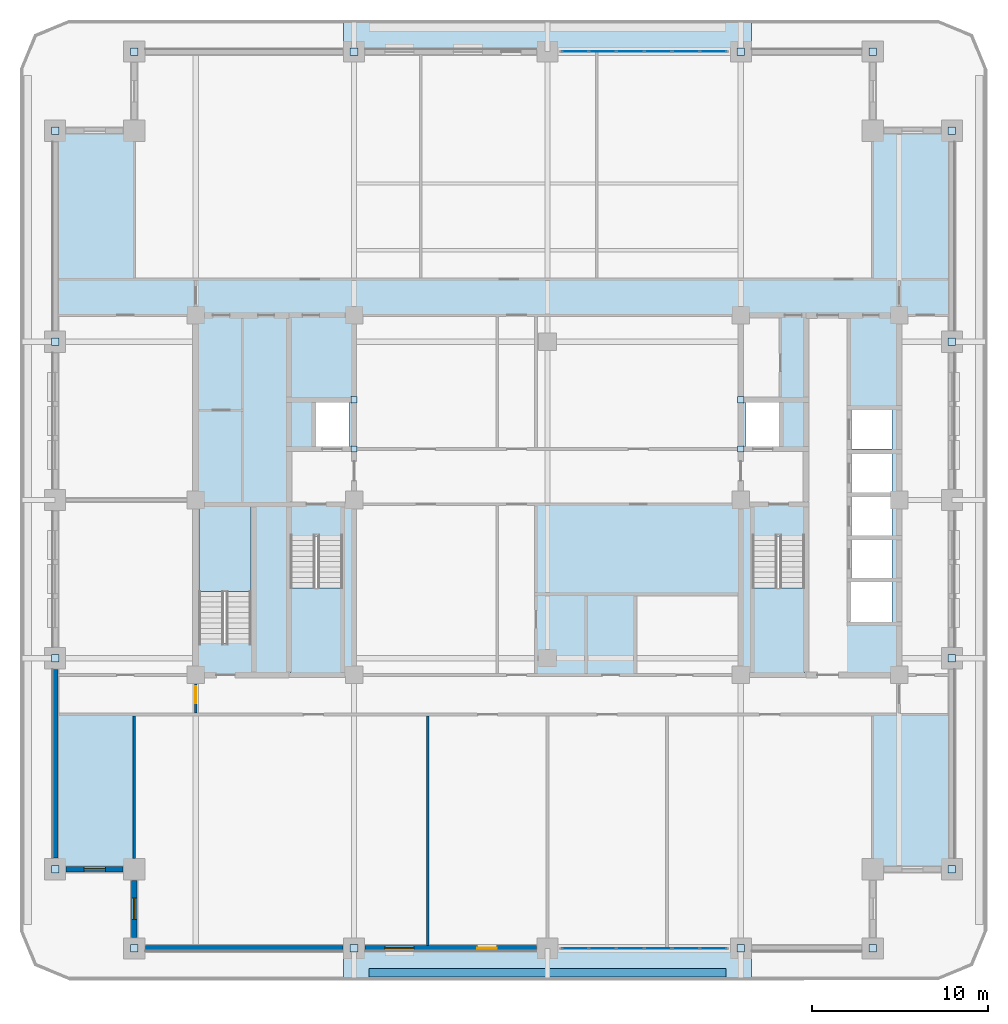
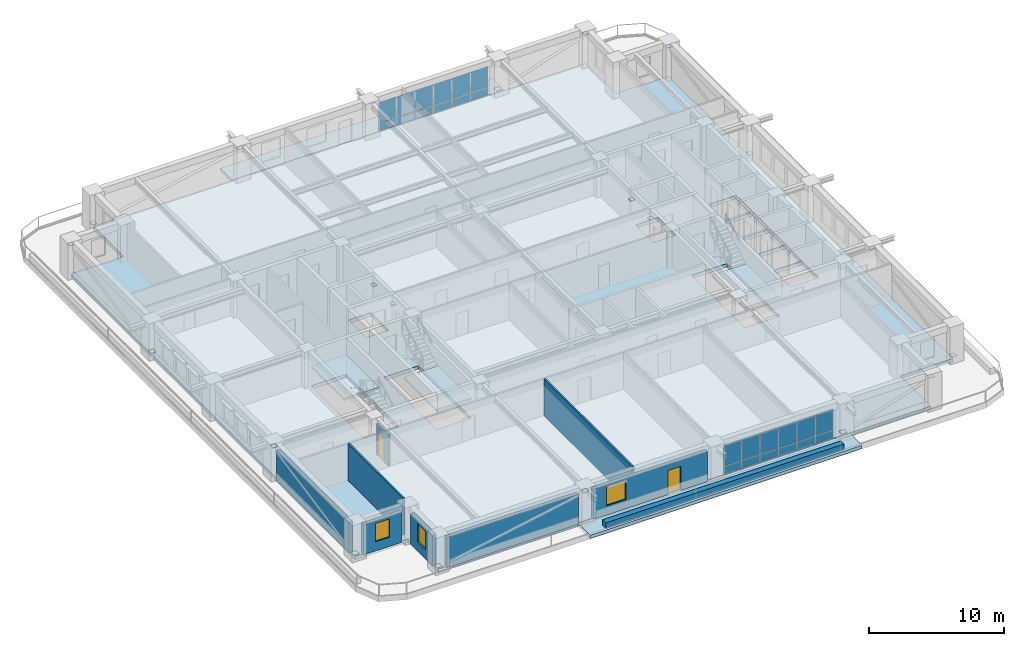
# One storey, part 7 of 20: 44 plates, 9 walls, 6 slabs, 3 windows, 2 doors, 5 openings, 5 elements without a shape of their own.
"""IFC4 building model written with IfcOpenShell, lengths in metres."""

from ifc_helpers import new_model, si_unit, direction, frame, frame_2d, origin, origin_2d, place, context, subcontext, project, spatial, polyline, rectangle, outline, extrude, material, layer, layer_set, type_object, element, fill, aggregate, save


model = new_model("IFC4")

# Units and contexts
model_context = context("Model", 3, precision=1e-05, world=origin(), true_north=direction((0.0, 1.0)))
body_context = subcontext(model_context, "Body", "Model", "MODEL_VIEW")
ifc_project = project(units=[si_unit("LENGTHUNIT", "METRE"), si_unit("AREAUNIT", "SQUARE_METRE"), si_unit("VOLUMEUNIT", "CUBIC_METRE"), si_unit("PLANEANGLEUNIT", "RADIAN"), si_unit("MASSUNIT", "GRAM", prefix="KILO")], contexts=[model_context])

# Site, building, storey
site_placement = place(None, origin())
site = spatial("IfcSite", under=ifc_project, at=site_placement, CompositionType="ELEMENT")
building_placement = place(site_placement, origin())
building = spatial("IfcBuilding", under=site, at=building_placement, Name="Zulmaris Gate Convention Tower", CompositionType="ELEMENT")
storey_placement = place(building_placement, frame((0.0, 0.0, 142.769775390625)))
storey = spatial("IfcBuildingStorey", under=building, at=storey_placement, Name="L36", CompositionType="ELEMENT", Elevation=142.769775390625)

# Curtain wall, plates
ifc_material_1 = material(Name="Anodised Aluminium", Category="aluminium")
curtain_wall_type = type_object("IfcCurtainWallType", Name="CW-06", PredefinedType="NOTDEFINED", material=ifc_material_1)
curtain_wall_1_placement = place(storey_placement, origin())
curtain_wall_1 = element("IfcCurtainWall", 1, at=curtain_wall_1_placement, inside=storey, type_object=curtain_wall_type, Name="CW-06 CW06-L36-S-2_0", PredefinedType="NOTDEFINED")
ifc_material_2 = material(Name="Low-E Double Glazing", Category="glass")
ifc_layer_1 = layer(ifc_material_2, 0.028076171875, Name="Low-E Double Glazing")
ifc_layer_set_1 = layer_set([ifc_layer_1], Name="Low-E Double Glazing")
plate_type_1 = type_object("IfcPlateType", Name="CW-06-VISION", PredefinedType="CURTAIN_PANEL", material=ifc_layer_set_1)
plate_1_placement = place(storey_placement, frame((1.56884765625, -25.5, 0.0751953125), z_axis=(0.0, 0.0, 1.0), x_axis=(1.0, 0.0, 0.0)))
plate_1 = element("IfcPlate", 2, at=plate_1_placement, type_object=plate_type_1, Name="CW-06 panel 1.1", PredefinedType="CURTAIN_PANEL", context=body_context, shape_type="SweptSolid", body=[
    extrude(rectangle(XDim=1.467529296875, YDim=0.028076171875, at=origin_2d()), origin(), (0.0, 0.0, 1.0), 0.637451171875),
])
plate_2_placement = place(storey_placement, frame((1.56884765625, -25.5, 0.787353515625), z_axis=(0.0, 0.0, 1.0), x_axis=(1.0, 0.0, 0.0)))
plate_2 = element("IfcPlate", 3, at=plate_2_placement, type_object=plate_type_1, Name="CW-06 panel 1.2", PredefinedType="CURTAIN_PANEL", context=body_context, shape_type="SweptSolid", body=[
    extrude(rectangle(XDim=1.467529296875, YDim=0.028076171875, at=origin_2d()), origin(), (0.0, 0.0, 1.0), 1.849609375),
])
plate_3_placement = place(storey_placement, frame((3.1298828125, -25.5, 0.0751953125), z_axis=(0.0, 0.0, 1.0), x_axis=(1.0, 0.0, 0.0)))
plate_3 = element("IfcPlate", 4, at=plate_3_placement, type_object=plate_type_1, Name="CW-06 panel 2.1", PredefinedType="CURTAIN_PANEL", context=body_context, shape_type="SweptSolid", body=[
    extrude(rectangle(XDim=1.5048828125, YDim=0.028076171875, at=origin_2d()), origin(), (0.0, 0.0, 1.0), 0.637451171875),
])
plate_4_placement = place(storey_placement, frame((3.1298828125, -25.5, 0.787353515625), z_axis=(0.0, 0.0, 1.0), x_axis=(1.0, 0.0, 0.0)))
plate_4 = element("IfcPlate", 5, at=plate_4_placement, type_object=plate_type_1, Name="CW-06 panel 2.2", PredefinedType="CURTAIN_PANEL", context=body_context, shape_type="SweptSolid", body=[
    extrude(rectangle(XDim=1.5048828125, YDim=0.028076171875, at=origin_2d()), origin(), (0.0, 0.0, 1.0), 1.849609375),
])
plate_5_placement = place(storey_placement, frame((4.7099609375, -25.5, 0.0751953125), z_axis=(0.0, 0.0, 1.0), x_axis=(1.0, 0.0, 0.0)))
plate_5 = element("IfcPlate", 6, at=plate_5_placement, type_object=plate_type_1, Name="CW-06 panel 3.1", PredefinedType="CURTAIN_PANEL", context=body_context, shape_type="SweptSolid", body=[
    extrude(rectangle(XDim=1.5048828125, YDim=0.028076171875, at=origin_2d()), origin(), (0.0, 0.0, 1.0), 0.637451171875),
])
plate_6_placement = place(storey_placement, frame((4.7099609375, -25.5, 0.787353515625), z_axis=(0.0, 0.0, 1.0), x_axis=(1.0, 0.0, 0.0)))
plate_6 = element("IfcPlate", 7, at=plate_6_placement, type_object=plate_type_1, Name="CW-06 panel 3.2", PredefinedType="CURTAIN_PANEL", context=body_context, shape_type="SweptSolid", body=[
    extrude(rectangle(XDim=1.5048828125, YDim=0.028076171875, at=origin_2d()), origin(), (0.0, 0.0, 1.0), 1.849609375),
])
plate_7_placement = place(storey_placement, frame((6.2900390625, -25.5, 0.0751953125), z_axis=(0.0, 0.0, 1.0), x_axis=(1.0, 0.0, 0.0)))
plate_7 = element("IfcPlate", 8, at=plate_7_placement, type_object=plate_type_1, Name="CW-06 panel 4.1", PredefinedType="CURTAIN_PANEL", context=body_context, shape_type="SweptSolid", body=[
    extrude(rectangle(XDim=1.5048828125, YDim=0.028076171875, at=origin_2d()), origin(), (0.0, 0.0, 1.0), 0.637451171875),
])
plate_8_placement = place(storey_placement, frame((6.2900390625, -25.5, 0.787353515625), z_axis=(0.0, 0.0, 1.0), x_axis=(1.0, 0.0, 0.0)))
plate_8 = element("IfcPlate", 9, at=plate_8_placement, type_object=plate_type_1, Name="CW-06 panel 4.2", PredefinedType="CURTAIN_PANEL", context=body_context, shape_type="SweptSolid", body=[
    extrude(rectangle(XDim=1.5048828125, YDim=0.028076171875, at=origin_2d()), origin(), (0.0, 0.0, 1.0), 1.849609375),
])
plate_9_placement = place(storey_placement, frame((7.8701171875, -25.5, 0.0751953125), z_axis=(0.0, 0.0, 1.0), x_axis=(1.0, 0.0, 0.0)))
plate_9 = element("IfcPlate", 10, at=plate_9_placement, type_object=plate_type_1, Name="CW-06 panel 5.1", PredefinedType="CURTAIN_PANEL", context=body_context, shape_type="SweptSolid", body=[
    extrude(rectangle(XDim=1.5048828125, YDim=0.028076171875, at=origin_2d()), origin(), (0.0, 0.0, 1.0), 0.637451171875),
])
plate_10_placement = place(storey_placement, frame((7.8701171875, -25.5, 0.787353515625), z_axis=(0.0, 0.0, 1.0), x_axis=(1.0, 0.0, 0.0)))
plate_10 = element("IfcPlate", 11, at=plate_10_placement, type_object=plate_type_1, Name="CW-06 panel 5.2", PredefinedType="CURTAIN_PANEL", context=body_context, shape_type="SweptSolid", body=[
    extrude(rectangle(XDim=1.5048828125, YDim=0.028076171875, at=origin_2d()), origin(), (0.0, 0.0, 1.0), 1.849609375),
])
plate_11_placement = place(storey_placement, frame((9.43115234375, -25.5, 0.0751953125), z_axis=(0.0, 0.0, 1.0), x_axis=(1.0, 0.0, 0.0)))
plate_11 = element("IfcPlate", 12, at=plate_11_placement, type_object=plate_type_1, Name="CW-06 panel 6.1", PredefinedType="CURTAIN_PANEL", context=body_context, shape_type="SweptSolid", body=[
    extrude(rectangle(XDim=1.467529296875, YDim=0.028076171875, at=origin_2d()), origin(), (0.0, 0.0, 1.0), 0.637451171875),
])
plate_12_placement = place(storey_placement, frame((9.43115234375, -25.5, 0.787353515625), z_axis=(0.0, 0.0, 1.0), x_axis=(1.0, 0.0, 0.0)))
plate_12 = element("IfcPlate", 13, at=plate_12_placement, type_object=plate_type_1, Name="CW-06 panel 6.2", PredefinedType="CURTAIN_PANEL", context=body_context, shape_type="SweptSolid", body=[
    extrude(rectangle(XDim=1.467529296875, YDim=0.028076171875, at=origin_2d()), origin(), (0.0, 0.0, 1.0), 1.849609375),
])
aggregate(curtain_wall_1, [plate_1, plate_2, plate_3, plate_4, plate_5, plate_6, plate_7, plate_8, plate_9, plate_10, plate_11, plate_12])

curtain_wall_2_placement = place(storey_placement, origin())
curtain_wall_2 = element("IfcCurtainWall", 14, at=curtain_wall_2_placement, inside=storey, type_object=curtain_wall_type, Name="CW-06 CW06-L36-N-2_0", PredefinedType="NOTDEFINED")
plate_13_placement = place(storey_placement, frame((9.43115234375, 25.5, 0.0751953125), z_axis=(0.0, 0.0, 1.0), x_axis=(-1.0, 0.0, 0.0)))
plate_13 = element("IfcPlate", 15, at=plate_13_placement, type_object=plate_type_1, Name="CW-06 panel 1.1", PredefinedType="CURTAIN_PANEL", context=body_context, shape_type="SweptSolid", body=[
    extrude(rectangle(XDim=1.467529296875, YDim=0.028076171875, at=origin_2d()), origin(), (0.0, 0.0, 1.0), 0.637451171875),
])
plate_14_placement = place(storey_placement, frame((9.43115234375, 25.5, 0.787353515625), z_axis=(0.0, 0.0, 1.0), x_axis=(-1.0, 0.0, 0.0)))
plate_14 = element("IfcPlate", 16, at=plate_14_placement, type_object=plate_type_1, Name="CW-06 panel 1.2", PredefinedType="CURTAIN_PANEL", context=body_context, shape_type="SweptSolid", body=[
    extrude(rectangle(XDim=1.467529296875, YDim=0.028076171875, at=origin_2d()), origin(), (0.0, 0.0, 1.0), 1.849609375),
])
plate_15_placement = place(storey_placement, frame((7.8701171875, 25.5, 0.0751953125), z_axis=(0.0, 0.0, 1.0), x_axis=(-1.0, 0.0, 0.0)))
plate_15 = element("IfcPlate", 17, at=plate_15_placement, type_object=plate_type_1, Name="CW-06 panel 2.1", PredefinedType="CURTAIN_PANEL", context=body_context, shape_type="SweptSolid", body=[
    extrude(rectangle(XDim=1.5048828125, YDim=0.028076171875, at=origin_2d()), origin(), (0.0, 0.0, 1.0), 0.637451171875),
])
plate_16_placement = place(storey_placement, frame((7.8701171875, 25.5, 0.787353515625), z_axis=(0.0, 0.0, 1.0), x_axis=(-1.0, 0.0, 0.0)))
plate_16 = element("IfcPlate", 18, at=plate_16_placement, type_object=plate_type_1, Name="CW-06 panel 2.2", PredefinedType="CURTAIN_PANEL", context=body_context, shape_type="SweptSolid", body=[
    extrude(rectangle(XDim=1.5048828125, YDim=0.028076171875, at=origin_2d()), origin(), (0.0, 0.0, 1.0), 1.849609375),
])
plate_17_placement = place(storey_placement, frame((6.2900390625, 25.5, 0.0751953125), z_axis=(0.0, 0.0, 1.0), x_axis=(-1.0, 0.0, 0.0)))
plate_17 = element("IfcPlate", 19, at=plate_17_placement, type_object=plate_type_1, Name="CW-06 panel 3.1", PredefinedType="CURTAIN_PANEL", context=body_context, shape_type="SweptSolid", body=[
    extrude(rectangle(XDim=1.5048828125, YDim=0.028076171875, at=origin_2d()), origin(), (0.0, 0.0, 1.0), 0.637451171875),
])
plate_18_placement = place(storey_placement, frame((6.2900390625, 25.5, 0.787353515625), z_axis=(0.0, 0.0, 1.0), x_axis=(-1.0, 0.0, 0.0)))
plate_18 = element("IfcPlate", 20, at=plate_18_placement, type_object=plate_type_1, Name="CW-06 panel 3.2", PredefinedType="CURTAIN_PANEL", context=body_context, shape_type="SweptSolid", body=[
    extrude(rectangle(XDim=1.5048828125, YDim=0.028076171875, at=origin_2d()), origin(), (0.0, 0.0, 1.0), 1.849609375),
])
plate_19_placement = place(storey_placement, frame((4.7099609375, 25.5, 0.0751953125), z_axis=(0.0, 0.0, 1.0), x_axis=(-1.0, 0.0, 0.0)))
plate_19 = element("IfcPlate", 21, at=plate_19_placement, type_object=plate_type_1, Name="CW-06 panel 4.1", PredefinedType="CURTAIN_PANEL", context=body_context, shape_type="SweptSolid", body=[
    extrude(rectangle(XDim=1.5048828125, YDim=0.028076171875, at=origin_2d()), origin(), (0.0, 0.0, 1.0), 0.637451171875),
])
plate_20_placement = place(storey_placement, frame((4.7099609375, 25.5, 0.787353515625), z_axis=(0.0, 0.0, 1.0), x_axis=(-1.0, 0.0, 0.0)))
plate_20 = element("IfcPlate", 22, at=plate_20_placement, type_object=plate_type_1, Name="CW-06 panel 4.2", PredefinedType="CURTAIN_PANEL", context=body_context, shape_type="SweptSolid", body=[
    extrude(rectangle(XDim=1.5048828125, YDim=0.028076171875, at=origin_2d()), origin(), (0.0, 0.0, 1.0), 1.849609375),
])
plate_21_placement = place(storey_placement, frame((3.1298828125, 25.5, 0.0751953125), z_axis=(0.0, 0.0, 1.0), x_axis=(-1.0, 0.0, 0.0)))
plate_21 = element("IfcPlate", 23, at=plate_21_placement, type_object=plate_type_1, Name="CW-06 panel 5.1", PredefinedType="CURTAIN_PANEL", context=body_context, shape_type="SweptSolid", body=[
    extrude(rectangle(XDim=1.5048828125, YDim=0.028076171875, at=origin_2d()), origin(), (0.0, 0.0, 1.0), 0.637451171875),
])
plate_22_placement = place(storey_placement, frame((3.1298828125, 25.5, 0.787353515625), z_axis=(0.0, 0.0, 1.0), x_axis=(-1.0, 0.0, 0.0)))
plate_22 = element("IfcPlate", 24, at=plate_22_placement, type_object=plate_type_1, Name="CW-06 panel 5.2", PredefinedType="CURTAIN_PANEL", context=body_context, shape_type="SweptSolid", body=[
    extrude(rectangle(XDim=1.5048828125, YDim=0.028076171875, at=origin_2d()), origin(), (0.0, 0.0, 1.0), 1.849609375),
])
plate_23_placement = place(storey_placement, frame((1.56884765625, 25.5, 0.0751953125), z_axis=(0.0, 0.0, 1.0), x_axis=(-1.0, 0.0, 0.0)))
plate_23 = element("IfcPlate", 25, at=plate_23_placement, type_object=plate_type_1, Name="CW-06 panel 6.1", PredefinedType="CURTAIN_PANEL", context=body_context, shape_type="SweptSolid", body=[
    extrude(rectangle(XDim=1.467529296875, YDim=0.028076171875, at=origin_2d()), origin(), (0.0, 0.0, 1.0), 0.637451171875),
])
plate_24_placement = place(storey_placement, frame((1.56884765625, 25.5, 0.787353515625), z_axis=(0.0, 0.0, 1.0), x_axis=(-1.0, 0.0, 0.0)))
plate_24 = element("IfcPlate", 26, at=plate_24_placement, type_object=plate_type_1, Name="CW-06 panel 6.2", PredefinedType="CURTAIN_PANEL", context=body_context, shape_type="SweptSolid", body=[
    extrude(rectangle(XDim=1.467529296875, YDim=0.028076171875, at=origin_2d()), origin(), (0.0, 0.0, 1.0), 1.849609375),
])
aggregate(curtain_wall_2, [plate_13, plate_14, plate_15, plate_16, plate_17, plate_18, plate_19, plate_20, plate_21, plate_22, plate_23, plate_24])

# Plates
ifc_material_3 = material(Name="Steel S460", Category="steel")
ifc_layer_2 = layer(ifc_material_3, 0.02197265625, Name="Steel S460")
ifc_layer_set_2 = layer_set([ifc_layer_2], Name="Steel S460")
plate_type_2 = type_object("IfcPlateType", Name="NP-CAP-360", PredefinedType="USERDEFINED", material=ifc_layer_set_2)
for number, where, z_axis, x_axis, name in (
    (27, (-11.0, 2.89990234375, 2.339111328125), (0.0, 0.0, 1.0), (1.0, 0.0, 0.0), "L36 Steel Node Plate LN-L36-1-CAP0"),
    (28, (-11.0, 5.699951171875, 2.339111328125), (0.0, 0.0, 1.0), (1.0, 0.0, 0.0), "L36 Steel Node Plate LN-L36-1-CAP1"),
    (29, (11.0, 2.89990234375, 2.339111328125), (0.0, 0.0, 1.0), (1.0, 0.0, 0.0), "L36 Steel Node Plate LN-L36-2-CAP0"),
    (30, (11.0, 5.699951171875, 2.339111328125), (0.0, 0.0, 1.0), (1.0, 0.0, 0.0), "L36 Steel Node Plate LN-L36-2-CAP1"),
):
    element("IfcPlate", number, at=place(storey_placement, frame(where, z_axis=z_axis, x_axis=x_axis)), inside=storey, type_object=plate_type_2, Name=name, ObjectType="FLANGE PLATE", PredefinedType="USERDEFINED", context=body_context, shape_type="SweptSolid", body=[
        extrude(rectangle(XDim=0.360107421875, YDim=0.360107421875, at=origin_2d()), origin(), (0.0, 0.0, 1.0), 0.02197265625),
    ])
ifc_layer_3 = layer(ifc_material_3, 0.02490234375, Name="Steel S460")
ifc_layer_set_3 = layer_set([ifc_layer_3], Name="Steel S460")
plate_type_3 = type_object("IfcPlateType", Name="NP-CAP-440", PredefinedType="USERDEFINED", material=ifc_layer_set_3)
for number, where, z_axis, x_axis, name in (
    (31, (-28.0, -21.0, 0.28759765625), (0.0, 0.0, 1.0), (1.0, 0.0, 0.0), "L36 Steel Node Plate PBR-L36-SW-W-CAP"),
    (32, (-28.0, -9.0, 2.6875), (0.0, 0.0, 1.0), (1.0, 0.0, 0.0), "L36 Steel Node Plate PBR-L36-SW-W-CAPB"),
    (33, (-28.0, 9.0, 0.28759765625), (0.0, 0.0, 1.0), (1.0, 0.0, 0.0), "L36 Steel Node Plate PBR-L36-NW-W-CAP"),
    (34, (-28.0, 21.0, 2.6875), (0.0, 0.0, 1.0), (1.0, 0.0, 0.0), "L36 Steel Node Plate PBR-L36-NW-W-CAPB"),
    (35, (23.0, -21.0, 0.28759765625), (0.0, 0.0, 1.0), (1.0, 0.0, 0.0), "L36 Steel Node Plate PBR-L36-SE-E-CAP"),
    (36, (23.0, -9.0, 2.6875), (0.0, 0.0, 1.0), (1.0, 0.0, 0.0), "L36 Steel Node Plate PBR-L36-SE-E-CAPB"),
    (37, (23.0, 9.0, 0.28759765625), (0.0, 0.0, 1.0), (1.0, 0.0, 0.0), "L36 Steel Node Plate PBR-L36-NE-E-CAP"),
    (38, (23.0, 21.0, 2.6875), (0.0, 0.0, 1.0), (1.0, 0.0, 0.0), "L36 Steel Node Plate PBR-L36-NE-E-CAPB"),
    (39, (-23.5, -25.5, 0.28759765625), (0.0, 0.0, 1.0), (1.0, 0.0, 0.0), "L36 Steel Node Plate PBR-L36-SW-S-CAP"),
    (40, (-11.0, -25.5, 2.6875), (0.0, 0.0, 1.0), (1.0, 0.0, 0.0), "L36 Steel Node Plate PBR-L36-SW-S-CAPB"),
    (41, (11.0, -25.5, 0.28759765625), (0.0, 0.0, 1.0), (1.0, 0.0, 0.0), "L36 Steel Node Plate PBR-L36-SE-S-CAP"),
    (42, (18.5, -25.5, 2.6875), (0.0, 0.0, 1.0), (1.0, 0.0, 0.0), "L36 Steel Node Plate PBR-L36-SE-S-CAPB"),
    (43, (-23.5, 25.5, 0.28759765625), (0.0, 0.0, 1.0), (1.0, 0.0, 0.0), "L36 Steel Node Plate PBR-L36-NW-N-CAP"),
    (44, (-11.0, 25.5, 2.6875), (0.0, 0.0, 1.0), (1.0, 0.0, 0.0), "L36 Steel Node Plate PBR-L36-NW-N-CAPB"),
    (45, (11.0, 25.5, 0.28759765625), (0.0, 0.0, 1.0), (1.0, 0.0, 0.0), "L36 Steel Node Plate PBR-L36-NE-N-CAP"),
    (46, (18.5, 25.5, 2.6875), (0.0, 0.0, 1.0), (1.0, 0.0, 0.0), "L36 Steel Node Plate PBR-L36-NE-N-CAPB"),
):
    element("IfcPlate", number, at=place(storey_placement, frame(where, z_axis=z_axis, x_axis=x_axis)), inside=storey, type_object=plate_type_3, Name=name, ObjectType="FLANGE PLATE", PredefinedType="USERDEFINED", context=body_context, shape_type="SweptSolid", body=[
        extrude(rectangle(XDim=0.43994140625, YDim=0.43994140625, at=origin_2d()), origin(), (0.0, 0.0, 1.0), 0.02490234375),
    ])

# Slab
ifc_material_4 = material(Name="Concrete C50/60", Category="concrete")
ifc_layer_4 = layer(ifc_material_4, 0.324951171875, Name="Concrete C50/60")
ifc_layer_set_4 = layer_set([ifc_layer_4], Name="Concrete C50/60")
slab_type_1 = type_object("IfcSlabType", Name="SL-FLR-325", PredefinedType="FLOOR", material=ifc_layer_set_4)
slab_1_placement = place(storey_placement, frame((0.0, 0.0, -0.324951171875)))
element("IfcSlab", 47, at=slab_1_placement, inside=storey, type_object=slab_type_1, Name="L36 Shifted Notched-Square Structural Floor Slab", PredefinedType="FLOOR", context=body_context, shape_type="SweptSolid", body=[
    extrude(outline(polyline([(-23.5, -25.5), (18.5, -25.5), (18.5, -21.0), (23.0, -21.0), (23.0, 21.0), (18.5, 21.0), (18.5, 25.5), (-23.5, 25.5), (-23.5, 21.0), (-28.0, 21.0), (-28.0, -21.0), (-23.5, -21.0), (-23.5, -25.5)]), holes=[polyline([(-14.6201171875, -2.080078125), (-14.6201171875, -9.85009765625), (-11.659912109375, -9.85009765625), (-11.659912109375, -2.080078125), (-14.6201171875, -2.080078125)]), polyline([(11.659912109375, -2.080078125), (11.659912109375, -9.85009765625), (14.6201171875, -9.85009765625), (14.6201171875, -2.080078125), (11.659912109375, -2.080078125)]), polyline([(-16.860107421875, -8.1201171875), (-16.860107421875, -0.35009765625), (-19.820068359375, -0.35009765625), (-19.820068359375, -8.1201171875), (-16.860107421875, -8.1201171875)]), polyline([(-13.199951171875, 3.0), (-11.300048828125, 3.0), (-11.300048828125, 5.60009765625), (-13.199951171875, 5.60009765625), (-13.199951171875, 3.0)]), polyline([(11.300048828125, 3.0), (13.199951171875, 3.0), (13.199951171875, 5.60009765625), (11.300048828125, 5.60009765625), (11.300048828125, 3.0)]), polyline([(17.199951171875, -7.0), (19.60009765625, -7.0), (19.60009765625, -4.60009765625), (17.199951171875, -4.60009765625), (17.199951171875, -7.0)]), polyline([(17.300048828125, -4.5), (19.60009765625, -4.5), (19.60009765625, -2.199951171875), (17.300048828125, -2.199951171875), (17.300048828125, -4.5)]), polyline([(17.300048828125, -2.10009765625), (19.60009765625, -2.10009765625), (19.60009765625, 0.199951171875), (17.300048828125, 0.199951171875), (17.300048828125, -2.10009765625)]), polyline([(17.300048828125, 0.39990234375), (19.60009765625, 0.39990234375), (19.60009765625, 2.699951171875), (17.300048828125, 2.699951171875), (17.300048828125, 0.39990234375)]), polyline([(17.300048828125, 2.89990234375), (19.60009765625, 2.89990234375), (19.60009765625, 5.199951171875), (17.300048828125, 5.199951171875), (17.300048828125, 2.89990234375)])]), origin(), (0.0, 0.0, 1.0), 0.324951171875),
])

# Stair, slab
ifc_material_5 = material(Name="Concrete C45/55", Category="concrete")
stair_type = type_object("IfcStairType", Name="ST-CORE-DOGLEG", PredefinedType="HALF_TURN_STAIR", material=ifc_material_5)
stair_1_placement = place(storey_placement, origin())
stair_1 = element("IfcStair", 48, at=stair_1_placement, inside=storey, type_object=stair_type, Name="L36 Core Exit Stair ST-1", PredefinedType="HALF_TURN_STAIR")
ifc_layer_5 = layer(ifc_material_5, 0.199951171875, Name="Concrete C45/55")
ifc_layer_set_5 = layer_set([ifc_layer_5], Name="Concrete C45/55")
slab_type_2 = type_object("IfcSlabType", Name="SL-LND-200", PredefinedType="LANDING", material=ifc_layer_set_5)
slab_2_placement = place(storey_placement, frame((0.0, 0.0, 1.5849609375)))
slab_2 = element("IfcSlab", 49, at=slab_2_placement, type_object=slab_type_2, Name="ST-1 landing 1", PredefinedType="LANDING", context=body_context, shape_type="SweptSolid", body=[
    extrude(outline(polyline([(-14.6201171875, -5.0), (-14.6201171875, -9.85009765625), (-11.659912109375, -9.85009765625), (-11.659912109375, -5.0), (-14.6201171875, -5.0)])), origin(), (0.0, 0.0, 1.0), 0.199951171875),
])
aggregate(stair_1, [slab_2])

stair_2_placement = place(storey_placement, origin())
stair_2 = element("IfcStair", 50, at=stair_2_placement, inside=storey, type_object=stair_type, Name="L36 Core Exit Stair ST-2", PredefinedType="HALF_TURN_STAIR")
slab_3_placement = place(storey_placement, frame((0.0, 0.0, 1.5849609375)))
slab_3 = element("IfcSlab", 51, at=slab_3_placement, type_object=slab_type_2, Name="ST-2 landing 1", PredefinedType="LANDING", context=body_context, shape_type="SweptSolid", body=[
    extrude(outline(polyline([(11.659912109375, -5.0), (11.659912109375, -9.85009765625), (14.6201171875, -9.85009765625), (14.6201171875, -5.0), (11.659912109375, -5.0)])), origin(), (0.0, 0.0, 1.0), 0.199951171875),
])
aggregate(stair_2, [slab_3])

stair_3_placement = place(storey_placement, origin())
stair_3 = element("IfcStair", 52, at=stair_3_placement, inside=storey, type_object=stair_type, Name="L36 Core Exit Stair ST-3", PredefinedType="HALF_TURN_STAIR")
slab_4_placement = place(storey_placement, frame((0.0, 0.0, 1.5849609375)))
slab_4 = element("IfcSlab", 53, at=slab_4_placement, type_object=slab_type_2, Name="ST-3 landing 1", PredefinedType="LANDING", context=body_context, shape_type="SweptSolid", body=[
    extrude(outline(polyline([(-16.860107421875, -5.199951171875), (-16.860107421875, -0.35009765625), (-19.820068359375, -0.35009765625), (-19.820068359375, -5.199951171875), (-16.860107421875, -5.199951171875)])), origin(), (0.0, 0.0, 1.0), 0.199951171875),
])
aggregate(stair_3, [slab_4])

# Slabs
ifc_layer_6 = layer(ifc_material_4, 0.300048828125, Name="Concrete C50/60")
ifc_layer_set_6 = layer_set([ifc_layer_6], Name="Concrete C50/60")
slab_type_3 = type_object("IfcSlabType", Name="SL-SG-300", PredefinedType="FLOOR", material=ifc_layer_set_6)
slab_5_placement = place(storey_placement, frame((0.0, 0.0, -0.324951171875)))
element("IfcSlab", 54, at=slab_5_placement, inside=storey, type_object=slab_type_3, Name="L36 South Sky-Garden Planter Slab", PredefinedType="FLOOR", context=body_context, shape_type="SweptSolid", body=[
    extrude(outline(polyline([(-11.597900390625, -27.300048828125), (-11.597900390625, -25.5), (11.597900390625, -25.5), (11.597900390625, -27.300048828125), (-11.597900390625, -27.300048828125)])), origin(), (0.0, 0.0, 1.0), 0.300048828125),
])
slab_6_placement = place(storey_placement, frame((0.0, 0.0, -0.324951171875)))
element("IfcSlab", 55, at=slab_6_placement, inside=storey, type_object=slab_type_3, Name="L36 North Sky-Garden Planter Slab", PredefinedType="FLOOR", context=body_context, shape_type="SweptSolid", body=[
    extrude(outline(polyline([(11.597900390625, 27.300048828125), (11.597900390625, 25.5), (-11.597900390625, 25.5), (-11.597900390625, 27.300048828125), (11.597900390625, 27.300048828125)])), origin(), (0.0, 0.0, 1.0), 0.300048828125),
])

# Wall
ifc_material_6 = material(Name="Gypsum Metal Stud Partition")
ifc_layer_7 = layer(ifc_material_6, 0.14990234375, Name="Gypsum Metal Stud Partition")
ifc_layer_set_7 = layer_set([ifc_layer_7], Name="Gypsum Metal Stud Partition")
wall_type_1 = type_object("IfcWallType", Name="PART-150", PredefinedType="PARTITIONING", material=ifc_layer_set_7)
wall_1_placement = place(storey_placement, frame((-23.5, -20.39404296875, 0.0), z_axis=(0.0, 0.0, 1.0), x_axis=(0.0, 1.0, 0.0)))
element("IfcWall", 56, at=wall_1_placement, inside=storey, type_object=wall_type_1, Name="WL-L36-069", PredefinedType="PARTITIONING", context=body_context, shape_type="SweptSolid", body=[
    extrude(rectangle(XDim=8.115966796875, YDim=0.14990234375, at=frame_2d((4.05810546875, 0.0))), origin(), (0.0, 0.0, 1.0), 3.320068359375),
])

# Wall, opening, door
wall_2_placement = place(storey_placement, frame((-20.0, -12.1220703125, 0.0), z_axis=(0.0, 0.0, 1.0), x_axis=(0.0, 1.0, 0.0)))
wall_2 = element("IfcWall", 57, at=wall_2_placement, inside=storey, type_object=wall_type_1, Name="WL-L36-071", PredefinedType="PARTITIONING", context=body_context, shape_type="SweptSolid", body=[
    extrude(rectangle(XDim=1.666015625, YDim=0.14990234375, at=frame_2d((0.8330078125, 0.0))), origin(), (0.0, 0.0, 1.0), 2.81005859375),
])
opening_1_placement = place(wall_2_placement, frame((0.56591796875, 0.0, 0.0)))
opening_1 = element("IfcOpeningElement", 58, at=opening_1_placement, cuts=wall_2, Name="Opening D-11", PredefinedType="OPENING", context=body_context, shape_type="SweptSolid", body=[
    extrude(rectangle(XDim=0.949951171875, YDim=2.14990234375, at=frame_2d((0.47509765625, 1.074951171875))), frame((0.0, 0.0849609375, 0.0), z_axis=(0.0, -1.0, 0.0), x_axis=(1.0, 0.0, 0.0)), (0.0, 0.0, 1.0), 0.169921875),
])
ifc_material_7 = material(Name="Fire-Rated Timber", Category="wood")
door_type_1 = type_object("IfcDoorType", Name="DR-950-FD", OperationType="NOTDEFINED", PredefinedType="DOOR", material=ifc_material_7)
door_1_placement = place(opening_1_placement, origin())
door_1 = element("IfcDoor", 59, at=door_1_placement, inside=storey, type_object=door_type_1, Name="L36 SW Spur Door 40", OperationType="SINGLE_SWING_RIGHT", OverallHeight=2.14990234375, OverallWidth=0.949951171875, PredefinedType="DOOR", context=body_context, shape_type="SweptSolid", body=[
    extrude(rectangle(XDim=0.949951171875, YDim=2.14990234375, at=frame_2d((0.47509765625, 1.074951171875))), frame((0.0, 0.02490234375, 0.0), z_axis=(0.0, -1.0, 0.0), x_axis=(1.0, 0.0, 0.0)), (0.0, 0.0, 1.0), 0.050048828125),
])
fill(opening_1, door_1)

# Walls
wall_3_placement = place(storey_placement, frame((-6.800048828125, -25.3349609375, 0.0), z_axis=(0.0, 0.0, 1.0), x_axis=(0.0, 1.0, 0.0)))
element("IfcWall", 60, at=wall_3_placement, inside=storey, type_object=wall_type_1, Name="WL-L36-076", PredefinedType="PARTITIONING", context=body_context, shape_type="SweptSolid", body=[
    extrude(rectangle(XDim=13.056884765625, YDim=0.14990234375, at=frame_2d((6.5283203125, 0.0))), origin(), (0.0, 0.0, 1.0), 3.320068359375),
])
ifc_material_8 = material(Name="Botanical Green Glazed Precast Concrete C40/50", Category="concrete")
ifc_layer_8 = layer(ifc_material_8, 0.419921875, Name="Botanical Green Glazed Precast Concrete C40/50")
ifc_layer_set_8 = layer_set([ifc_layer_8], Name="Botanical Green Glazed Precast Concrete C40/50")
wall_type_2 = type_object("IfcWallType", Name="PLANTER-CURB-200", PredefinedType="PARAPET", material=ifc_layer_set_8)
wall_4_placement = place(storey_placement, frame((-10.14990234375, -26.8798828125, -0.0400390625), z_axis=(0.0, 0.0, 1.0), x_axis=(1.0, 0.0, 0.0)))
element("IfcWall", 61, at=wall_4_placement, inside=storey, type_object=wall_type_2, Name="L36 Full-Length Balcony Tree Planter Trough", PredefinedType="PARAPET", context=body_context, shape_type="SweptSolid", body=[
    extrude(rectangle(XDim=20.2998046875, YDim=0.47998046875, at=frame_2d((10.14990234375, 0.0))), origin(), (0.0, 0.0, 1.0), 0.52001953125),
])

# Wall, opening, window
ifc_material_9 = material(Name="Precast concrete C40/50", Category="concrete")
ifc_layer_9 = layer(ifc_material_9, 0.300048828125, Name="Precast concrete C40/50")
ifc_layer_set_9 = layer_set([ifc_layer_9], Name="Precast concrete C40/50")
wall_type_3 = type_object("IfcWallType", Name="PRECAST-PIER-300", PredefinedType="STANDARD", material=ifc_layer_set_9)
wall_5_placement = place(storey_placement, frame((-27.3701171875, -21.0, 0.0), z_axis=(0.0, 0.0, 1.0), x_axis=(1.0, 0.0, 0.0)))
wall_5 = element("IfcWall", 62, at=wall_5_placement, inside=storey, type_object=wall_type_3, Name="EW-L36-NOTCH-SW1_0", PredefinedType="STANDARD", context=body_context, shape_type="SweptSolid", body=[
    extrude(rectangle(XDim=3.240234375, YDim=0.300048828125, at=frame_2d((1.6201171875, 0.0))), origin(), (0.0, 0.0, 1.0), 2.7119140625),
])
opening_2_placement = place(wall_5_placement, frame((1.02001953125, 0.0, 0.820068359375)))
opening_2 = element("IfcOpeningElement", 63, at=opening_2_placement, cuts=wall_5, Name="Opening W-04", PredefinedType="OPENING", context=body_context, shape_type="SweptSolid", body=[
    extrude(rectangle(XDim=1.199951171875, YDim=1.64990234375, at=frame_2d((0.60009765625, 0.824951171875))), frame((0.0, 0.16015625, 0.0), z_axis=(0.0, -1.0, 0.0), x_axis=(1.0, 0.0, 0.0)), (0.0, 0.0, 1.0), 0.320068359375),
])
ifc_material_10 = material(Name="Low-E Laminated Double Glazing in Aluminium Frame", Category="aluminium")
window_type_1 = type_object("IfcWindowType", Name="WIN-1200x2100", PartitioningType="SINGLE_PANEL", PredefinedType="WINDOW", material=ifc_material_10)
window_1_placement = place(opening_2_placement, origin())
window_1 = element("IfcWindow", 64, at=window_1_placement, inside=storey, type_object=window_type_1, Name="WN-EW-L36-NOTCH-SW1_0", OverallHeight=1.64990234375, OverallWidth=1.199951171875, PartitioningType="SINGLE_PANEL", PredefinedType="WINDOW", context=body_context, shape_type="SweptSolid", body=[
    extrude(rectangle(XDim=1.199951171875, YDim=1.64990234375, at=frame_2d((0.60009765625, 0.824951171875))), frame((0.0, 0.030029296875, 0.0), z_axis=(0.0, -1.0, 0.0), x_axis=(1.0, 0.0, 0.0)), (0.0, 0.0, 1.0), 0.06005859375),
])
fill(opening_2, window_1)

wall_6_placement = place(storey_placement, frame((-23.5, -21.6298828125, 0.0), z_axis=(0.0, 0.0, 1.0), x_axis=(0.0, -1.0, 0.0)))
wall_6 = element("IfcWall", 65, at=wall_6_placement, inside=storey, type_object=wall_type_3, Name="EW-L36-NOTCH-SW2_0", PredefinedType="STANDARD", context=body_context, shape_type="SweptSolid", body=[
    extrude(rectangle(XDim=3.240234375, YDim=0.300048828125, at=frame_2d((1.6201171875, 0.0))), origin(), (0.0, 0.0, 1.0), 2.7119140625),
])
opening_3_placement = place(wall_6_placement, frame((1.02001953125, 0.0, 0.820068359375)))
opening_3 = element("IfcOpeningElement", 66, at=opening_3_placement, cuts=wall_6, Name="Opening W-04", PredefinedType="OPENING", context=body_context, shape_type="SweptSolid", body=[
    extrude(rectangle(XDim=1.199951171875, YDim=1.64990234375, at=frame_2d((0.60009765625, 0.824951171875))), frame((0.0, 0.16015625, 0.0), z_axis=(0.0, -1.0, 0.0), x_axis=(1.0, 0.0, 0.0)), (0.0, 0.0, 1.0), 0.320068359375),
])
window_2_placement = place(opening_3_placement, origin())
window_2 = element("IfcWindow", 67, at=window_2_placement, inside=storey, type_object=window_type_1, Name="WN-EW-L36-NOTCH-SW2_0", OverallHeight=1.64990234375, OverallWidth=1.199951171875, PartitioningType="SINGLE_PANEL", PredefinedType="WINDOW", context=body_context, shape_type="SweptSolid", body=[
    extrude(rectangle(XDim=1.199951171875, YDim=1.64990234375, at=frame_2d((0.60009765625, 0.824951171875))), frame((0.0, 0.030029296875, 0.0), z_axis=(0.0, -1.0, 0.0), x_axis=(1.0, 0.0, 0.0)), (0.0, 0.0, 1.0), 0.06005859375),
])
fill(opening_3, window_2)

# Wall
wall_7_placement = place(storey_placement, frame((-22.8701171875, -25.5, 0.0), z_axis=(0.0, 0.0, 1.0), x_axis=(1.0, 0.0, 0.0)))
element("IfcWall", 68, at=wall_7_placement, inside=storey, type_object=wall_type_3, Name="EW-L36-S-0_0", PredefinedType="STANDARD", context=body_context, shape_type="SweptSolid", body=[
    extrude(rectangle(XDim=11.240234375, YDim=0.300048828125, at=frame_2d((5.6201171875, 0.0))), origin(), (0.0, 0.0, 1.0), 2.7119140625),
])

# Wall, openings, door, window
wall_8_placement = place(storey_placement, frame((-10.3701171875, -25.5, 0.0), z_axis=(0.0, 0.0, 1.0), x_axis=(1.0, 0.0, 0.0)))
wall_8 = element("IfcWall", 69, at=wall_8_placement, inside=storey, type_object=wall_type_3, Name="EW-L36-S-1_0", PredefinedType="STANDARD", context=body_context, shape_type="SweptSolid", body=[
    extrude(rectangle(XDim=9.740234375, YDim=0.300048828125, at=frame_2d((4.8701171875, 0.0))), origin(), (0.0, 0.0, 1.0), 2.7119140625),
])
opening_4_placement = place(wall_8_placement, frame((6.3798828125, 0.0, 0.0)))
opening_4 = element("IfcOpeningElement", 70, at=opening_4_placement, cuts=wall_8, Name="Opening D-04", PredefinedType="OPENING", context=body_context, shape_type="SweptSolid", body=[
    extrude(rectangle(XDim=1.10009765625, YDim=2.14990234375, at=frame_2d((0.550048828125, 1.074951171875))), frame((0.0, 0.16015625, 0.0), z_axis=(0.0, -1.0, 0.0), x_axis=(1.0, 0.0, 0.0)), (0.0, 0.0, 1.0), 0.320068359375),
])
opening_5_placement = place(wall_8_placement, frame((1.123046875, 0.0, 0.800048828125)))
opening_5 = element("IfcOpeningElement", 71, at=opening_5_placement, cuts=wall_8, Name="Opening W-08", PredefinedType="OPENING", context=body_context, shape_type="SweptSolid", body=[
    extrude(rectangle(XDim=1.64990234375, YDim=1.699951171875, at=frame_2d((0.824951171875, 0.85009765625))), frame((0.0, 0.16015625, 0.0), z_axis=(0.0, -1.0, 0.0), x_axis=(1.0, 0.0, 0.0)), (0.0, 0.0, 1.0), 0.320068359375),
])
ifc_material_11 = material(Name="Anodised Aluminium and Laminated Glass", Category="aluminium")
door_type_2 = type_object("IfcDoorType", Name="ED-1100", OperationType="SINGLE_SWING_RIGHT", PredefinedType="DOOR", material=ifc_material_11)
door_2_placement = place(opening_4_placement, origin())
door_2 = element("IfcDoor", 72, at=door_2_placement, inside=storey, type_object=door_type_2, Name="L36 S Planted Terrace Door", OperationType="SINGLE_SWING_RIGHT", OverallHeight=2.14990234375, OverallWidth=1.10009765625, PredefinedType="DOOR", context=body_context, shape_type="SweptSolid", body=[
    extrude(rectangle(XDim=1.10009765625, YDim=2.14990234375, at=frame_2d((0.550048828125, 1.074951171875))), frame((0.0, 0.02490234375, 0.0), z_axis=(0.0, -1.0, 0.0), x_axis=(1.0, 0.0, 0.0)), (0.0, 0.0, 1.0), 0.050048828125),
])
fill(opening_4, door_2)
window_type_2 = type_object("IfcWindowType", Name="WIN-1650x2150", PartitioningType="SINGLE_PANEL", PredefinedType="WINDOW", material=ifc_material_10)
window_3_placement = place(opening_5_placement, origin())
window_3 = element("IfcWindow", 73, at=window_3_placement, inside=storey, type_object=window_type_2, Name="WN-EW-L36-S-1_0-1", OverallHeight=1.699951171875, OverallWidth=1.64990234375, PartitioningType="SINGLE_PANEL", PredefinedType="WINDOW", context=body_context, shape_type="SweptSolid", body=[
    extrude(rectangle(XDim=1.64990234375, YDim=1.699951171875, at=frame_2d((0.824951171875, 0.85009765625))), frame((0.0, 0.030029296875, 0.0), z_axis=(0.0, -1.0, 0.0), x_axis=(1.0, 0.0, 0.0)), (0.0, 0.0, 1.0), 0.06005859375),
])
fill(opening_5, window_3)

# Wall
wall_9_placement = place(storey_placement, frame((-28.0, -9.6298828125, 0.0), z_axis=(0.0, 0.0, 1.0), x_axis=(0.0, -1.0, 0.0)))
element("IfcWall", 74, at=wall_9_placement, inside=storey, type_object=wall_type_3, Name="EW-L36-W-0_0", PredefinedType="STANDARD", context=body_context, shape_type="SweptSolid", body=[
    extrude(rectangle(XDim=10.740234375, YDim=0.300048828125, at=frame_2d((5.3701171875, 0.0))), origin(), (0.0, 0.0, 1.0), 2.7119140625),
])

save(model, "model.ifc")
